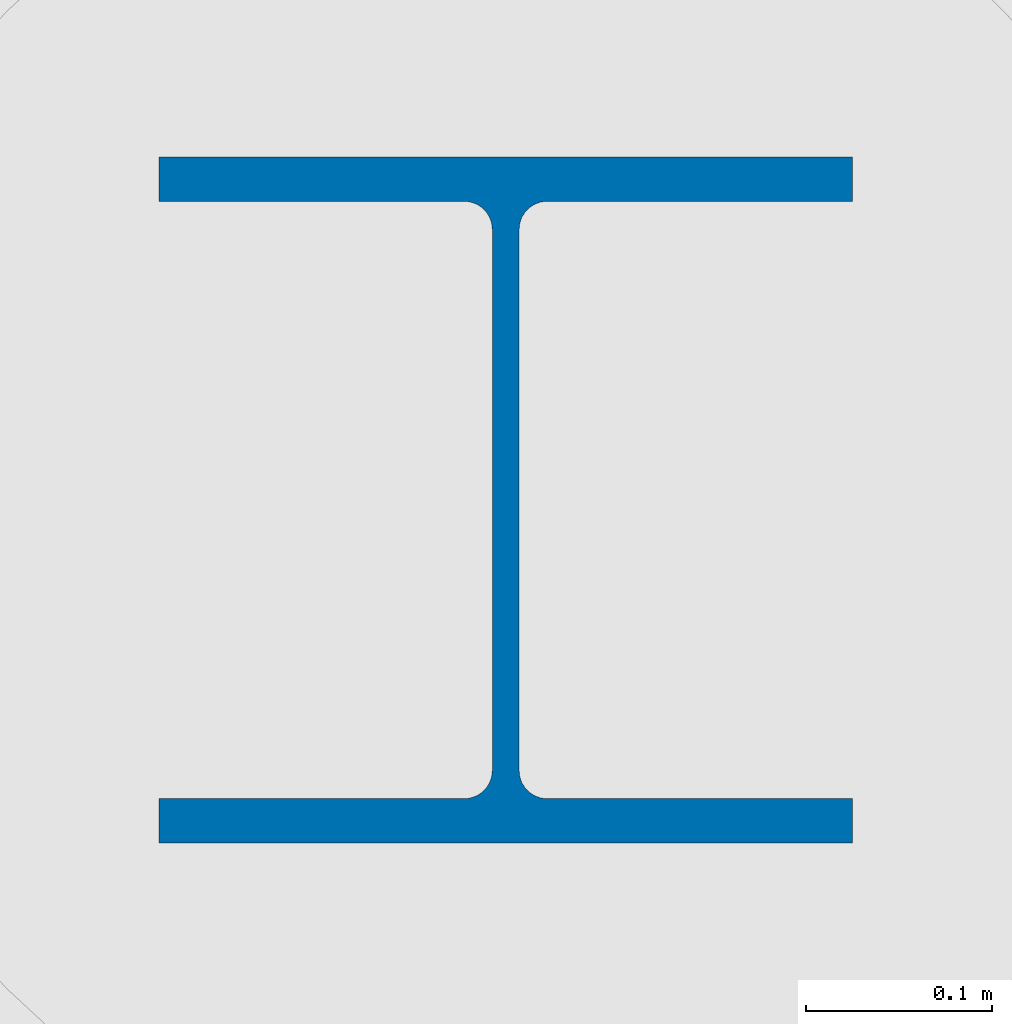
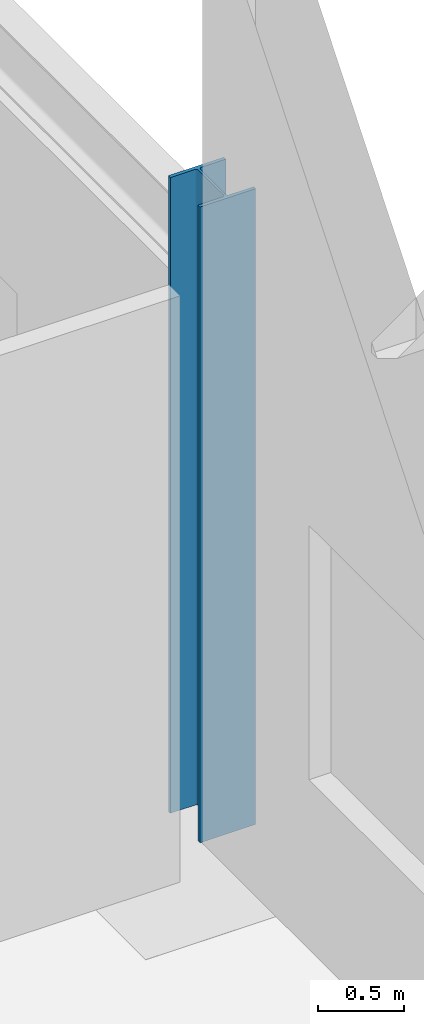
# One storey, part 15 of 84: 1 column.
"""IFC4 building model written with IfcOpenShell, lengths in metres."""

from ifc_helpers import new_model, si_unit, direction, frame, origin, origin_2d, place, context, subcontext, project, spatial, i_section, extrude, material, material_profile, profile_set, type_object, element, save


model = new_model("IFC4")

# Units and contexts
model_context = context("Model", 3, precision=1e-05, world=origin(), true_north=direction((0.0, 1.0)))
body_context = subcontext(model_context, "Body", "Model", "MODEL_VIEW")
ifc_project = project(units=[si_unit("LENGTHUNIT", "METRE"), si_unit("AREAUNIT", "SQUARE_METRE"), si_unit("VOLUMEUNIT", "CUBIC_METRE"), si_unit("PLANEANGLEUNIT", "RADIAN"), si_unit("MASSUNIT", "GRAM", prefix="KILO")], contexts=[model_context])

# Site, building, storey
site_placement = place(None, origin())
site = spatial("IfcSite", under=ifc_project, at=site_placement, CompositionType="ELEMENT")
building_placement = place(site_placement, origin())
building = spatial("IfcBuilding", under=site, at=building_placement, Name="Larkveld Mobility Hub", CompositionType="ELEMENT")
storey_placement = place(building_placement, origin())
storey = spatial("IfcBuildingStorey", under=building, at=storey_placement, Name="L00", CompositionType="ELEMENT", Elevation=0.0)

# Column
ifc_material = material(Name="Steel S355JR", Category="steel")
ifc_material_profile = material_profile(ifc_material, i_section(OverallWidth=0.37255859375, OverallDepth=0.3681640625, WebThickness=0.014404296875, FlangeThickness=0.023681640625, FilletRadius=0.01513671875, at=origin_2d()), Name="UC 356x368x177")
ifc_profile_set = profile_set([ifc_material_profile], Name="Steel S355JR")
column_type = type_object("IfcColumnType", Name="CL-STUC356", PredefinedType="COLUMN", material=ifc_profile_set)
column_placement = place(storey_placement, frame((184.0, 28.0, 0.0), z_axis=(0.0, 0.0, 1.0), x_axis=(1.0, 0.0, 0.0)))
element("IfcColumn", 1, at=column_placement, inside=storey, type_object=column_type, Name="Column V1-X184-Y28 (L00)", PredefinedType="COLUMN", context=body_context, shape_type="SweptSolid", body=[
    extrude(i_section(OverallWidth=0.37255859375, OverallDepth=0.3681640625, WebThickness=0.014404296875, FlangeThickness=0.023681640625, FilletRadius=0.01513671875, at=origin_2d()), origin(), (0.0, 0.0, 1.0), 4.5),
])

save(model, "model.ifc")
